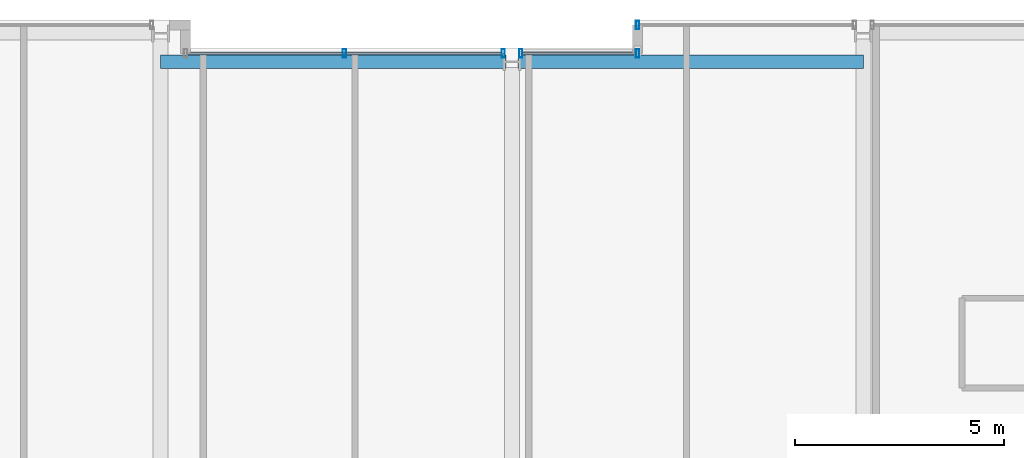
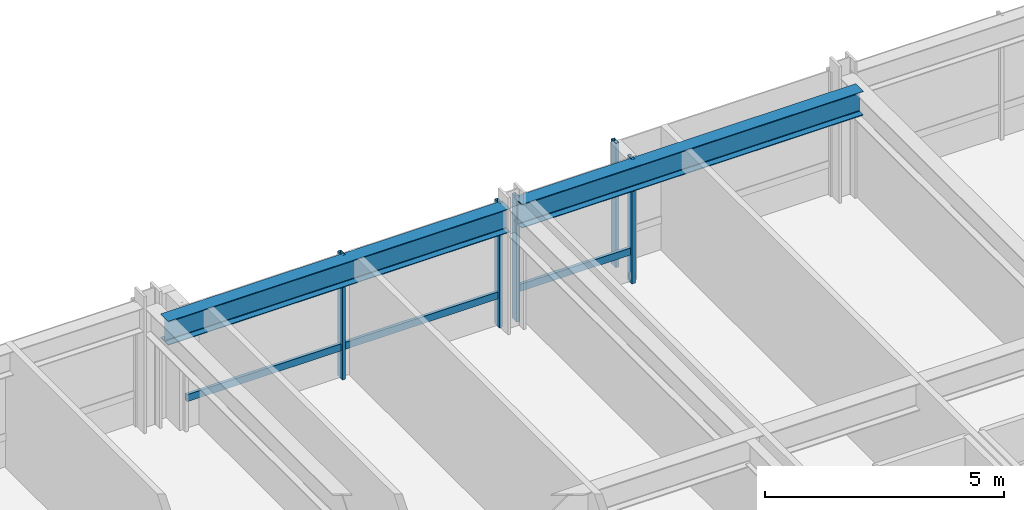
# One storey, part 22 of 35: 7 members, 2 beams, 3 elements without a shape of their own.
"""IFC4 building model written with IfcOpenShell, lengths in metres."""

from ifc_helpers import new_model, si_unit, direction, frame, origin, origin_2d, place, context, subcontext, project, spatial, hollow_rectangle, i_section, extrude, material, layer, layer_set, material_profile, profile_set, type_object, element, aggregate, save


model = new_model("IFC4")

# Units and contexts
model_context = context("Model", 3, precision=1e-05, world=origin(), true_north=direction((0.0, 1.0)))
body_context = subcontext(model_context, "Body", "Model", "MODEL_VIEW")
ifc_project = project(units=[si_unit("LENGTHUNIT", "METRE"), si_unit("AREAUNIT", "SQUARE_METRE"), si_unit("VOLUMEUNIT", "CUBIC_METRE"), si_unit("PLANEANGLEUNIT", "RADIAN"), si_unit("MASSUNIT", "GRAM", prefix="KILO")], contexts=[model_context])

# Site, building, storey
site_placement = place(None, origin())
site = spatial("IfcSite", under=ifc_project, at=site_placement, CompositionType="ELEMENT")
building_placement = place(site_placement, origin())
building = spatial("IfcBuilding", under=site, at=building_placement, Name="Drelvath Grand Hotel", CompositionType="ELEMENT")
storey_placement = place(building_placement, frame((0.0, 0.0, 137.300048828125)))
storey = spatial("IfcBuildingStorey", under=building, at=storey_placement, Name="L35", CompositionType="ELEMENT", Elevation=137.300048828125)

# Curtain wall, member
ifc_material_1 = material(Name="Champagne Bronze Anodised Aluminium Frame", Category="aluminium")
ifc_layer = layer(ifc_material_1, 0.199951171875)
ifc_layer_set = layer_set([ifc_layer], Name="Champagne Bronze Anodised Aluminium Frame")
curtain_wall_type = type_object("IfcCurtainWallType", Name="Stick Curtain Wall CW-03 Champagne Bronze Mid-Rise", PredefinedType="NOTDEFINED", material=ifc_layer_set)
curtain_wall_1_placement = place(storey_placement, origin())
curtain_wall_1 = element("IfcCurtainWall", 1, at=curtain_wall_1_placement, inside=storey, type_object=curtain_wall_type, Name="L35 CW-03 Curtain Wall CW03-L35-NM1", PredefinedType="NOTDEFINED")
ifc_material_profile_1 = material_profile(ifc_material_1, hollow_rectangle(XDim=0.074951171875, YDim=0.179931640625, WallThickness=0.0048828125, at=origin_2d()), Name="HSS180X75X5")
ifc_profile_set_1 = profile_set([ifc_material_profile_1], Name="Champagne Bronze Anodised Aluminium Frame")
member_type_1 = type_object("IfcMemberType", Name="Curtain Wall Horizontal Transom CW-03 HSS180X75X5", PredefinedType="USERDEFINED", material=ifc_profile_set_1)
member_1_placement = place(storey_placement, frame((-7.760009765625, 53.199951171875, 0.794921875), z_axis=(1.0, 0.0, 0.0), x_axis=(0.0, 1.0, 0.0)))
member_1 = element("IfcMember", 2, at=member_1_placement, type_object=member_type_1, Name="CW03-L35-NM1 Sill Transom", ObjectType="TRANSOM", PredefinedType="USERDEFINED", context=body_context, shape_type="SweptSolid", body=[
    extrude(hollow_rectangle(XDim=0.074951171875, YDim=0.179931640625, WallThickness=0.0048828125, at=origin_2d()), origin(), (0.0, 0.0, 1.0), 7.510498046875),
])

curtain_wall_2_placement = place(storey_placement, origin())
curtain_wall_2 = element("IfcCurtainWall", 3, at=curtain_wall_2_placement, inside=storey, type_object=curtain_wall_type, Name="L35 CW-03 Curtain Wall CW03-L35-NM2", PredefinedType="NOTDEFINED")
member_2_placement = place(storey_placement, frame((0.24951171875, 53.199951171875, 0.794921875), z_axis=(1.0, 0.0, 0.0), x_axis=(0.0, 1.0, 0.0)))
member_2 = element("IfcMember", 4, at=member_2_placement, type_object=member_type_1, Name="CW03-L35-NM2 Sill Transom", ObjectType="TRANSOM", PredefinedType="USERDEFINED", context=body_context, shape_type="SweptSolid", body=[
    extrude(hollow_rectangle(XDim=0.074951171875, YDim=0.179931640625, WallThickness=0.0048828125, at=origin_2d()), origin(), (0.0, 0.0, 1.0), 2.71044921875),
])

# Member
ifc_material_profile_2 = material_profile(ifc_material_1, hollow_rectangle(XDim=0.080078125, YDim=0.199951171875, WallThickness=0.0048828125, at=origin_2d()), Name="HSS200X80X5")
ifc_profile_set_2 = profile_set([ifc_material_profile_2], Name="Champagne Bronze Anodised Aluminium Frame")
member_type_2 = type_object("IfcMemberType", Name="Curtain Wall Vertical Mullion CW-03 HSS200X80X5", PredefinedType="MULLION", material=ifc_profile_set_2)
member_3_placement = place(storey_placement, frame((-4.004638671875, 53.199951171875, 0.0), z_axis=(0.0, 0.0, 1.0), x_axis=(1.0, 0.0, 0.0)))
member_3 = element("IfcMember", 5, at=member_3_placement, type_object=member_type_2, Name="CW03-L35-NM1 Mullion 2", PredefinedType="MULLION", context=body_context, shape_type="SweptSolid", body=[
    extrude(hollow_rectangle(XDim=0.080078125, YDim=0.199951171875, WallThickness=0.0048828125, at=origin_2d()), origin(), (0.0, 0.0, 1.0), 3.179931640625),
])

member_4_placement = place(storey_placement, frame((-0.20947265625, 53.199951171875, 0.0), z_axis=(0.0, 0.0, 1.0), x_axis=(1.0, 0.0, 0.0)))
member_4 = element("IfcMember", 6, at=member_4_placement, type_object=member_type_2, Name="CW03-L35-NM1 Mullion 3", PredefinedType="MULLION", context=body_context, shape_type="SweptSolid", body=[
    extrude(hollow_rectangle(XDim=0.080078125, YDim=0.199951171875, WallThickness=0.0048828125, at=origin_2d()), origin(), (0.0, 0.0, 1.0), 3.179931640625),
])

aggregate(curtain_wall_1, [member_3, member_4, member_1])

member_5_placement = place(storey_placement, frame((0.20947265625, 53.199951171875, 0.0), z_axis=(0.0, 0.0, 1.0), x_axis=(1.0, 0.0, 0.0)))
member_5 = element("IfcMember", 7, at=member_5_placement, type_object=member_type_2, Name="CW03-L35-NM2 Mullion 1", PredefinedType="MULLION", context=body_context, shape_type="SweptSolid", body=[
    extrude(hollow_rectangle(XDim=0.080078125, YDim=0.199951171875, WallThickness=0.0048828125, at=origin_2d()), origin(), (0.0, 0.0, 1.0), 3.179931640625),
])

member_6_placement = place(storey_placement, frame((3.0, 53.199951171875, 0.0), z_axis=(0.0, 0.0, 1.0), x_axis=(1.0, 0.0, 0.0)))
member_6 = element("IfcMember", 8, at=member_6_placement, type_object=member_type_2, Name="CW03-L35-NM2 Mullion 2", PredefinedType="MULLION", context=body_context, shape_type="SweptSolid", body=[
    extrude(hollow_rectangle(XDim=0.080078125, YDim=0.199951171875, WallThickness=0.0048828125, at=origin_2d()), origin(), (0.0, 0.0, 1.0), 3.179931640625),
])

aggregate(curtain_wall_2, [member_5, member_6, member_2])

# Curtain wall, member
curtain_wall_3_placement = place(storey_placement, origin())
curtain_wall_3 = element("IfcCurtainWall", 9, at=curtain_wall_3_placement, inside=storey, type_object=curtain_wall_type, Name="L35 CW-03 Curtain Wall CW03-L35-NE1", PredefinedType="NOTDEFINED")
member_7_placement = place(storey_placement, frame((3.0, 53.8798828125, 0.0), z_axis=(0.0, 0.0, 1.0), x_axis=(1.0, 0.0, 0.0)))
member_7 = element("IfcMember", 10, at=member_7_placement, type_object=member_type_2, Name="CW03-L35-NE1 Mullion 1", PredefinedType="MULLION", context=body_context, shape_type="SweptSolid", body=[
    extrude(hollow_rectangle(XDim=0.080078125, YDim=0.199951171875, WallThickness=0.0048828125, at=origin_2d()), origin(), (0.0, 0.0, 1.0), 3.179931640625),
])
aggregate(curtain_wall_3, [member_7])

# Beams
ifc_material_2 = material(Name="Steel ASTM A992 Gr 50", Category="steel")
ifc_material_profile_3 = material_profile(ifc_material_2, i_section(OverallWidth=0.323974609375, OverallDepth=0.611083984375, WebThickness=0.0126953125, FlangeThickness=0.01904296875, FilletRadius=0.02197265625, at=origin_2d()), Name="W24X104")
ifc_profile_set_3 = profile_set([ifc_material_profile_3], Name="Steel ASTM A992 Gr 50")
beam_type = type_object("IfcBeamType", Name="Perimeter Spandrel Beam W24X104", PredefinedType="SPANDREL", material=ifc_profile_set_3)
for number, where, z_axis, x_axis, name in (
    (11, (-8.39990234375, 53.0, 2.874267578125), (1.0, 0.0, 0.0), (0.0, 1.0, 0.0), "L35 Spandrel North Mid W"),
    (12, (0.139892578125, 53.0, 2.874267578125), (1.0, 0.0, 0.0), (0.0, 1.0, 0.0), "L35 Spandrel North Mid E"),
):
    element("IfcBeam", number, at=place(storey_placement, frame(where, z_axis=z_axis, x_axis=x_axis)), inside=storey, type_object=beam_type, Name=name, PredefinedType="SPANDREL", context=body_context, shape_type="SweptSolid", body=[
        extrude(i_section(OverallWidth=0.323974609375, OverallDepth=0.611083984375, WebThickness=0.0126953125, FlangeThickness=0.01904296875, FilletRadius=0.02197265625, at=origin_2d()), origin(), (0.0, 0.0, 1.0), 8.260009765625),
    ])

save(model, "model.ifc")
